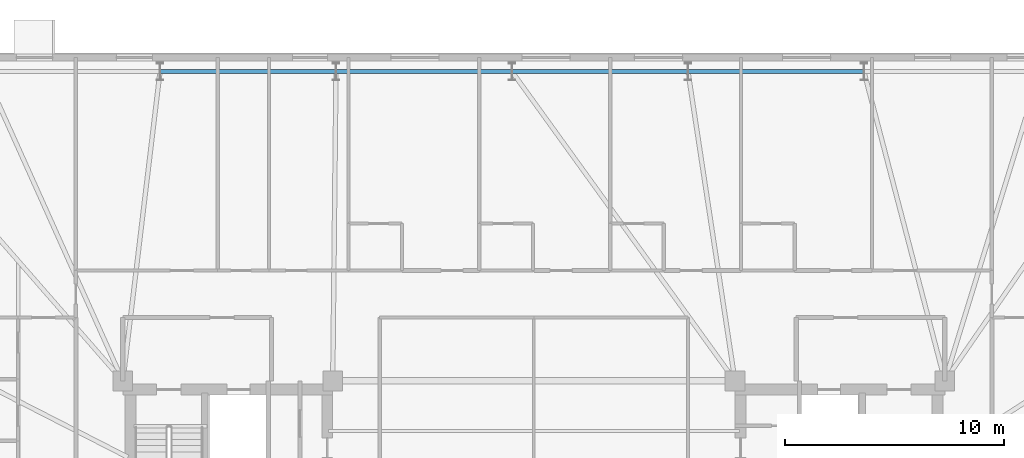
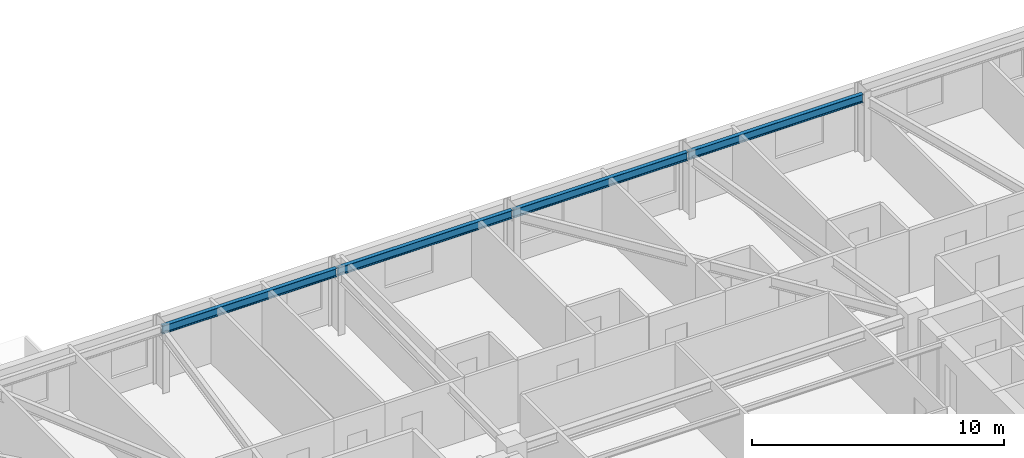
# One storey, part 8 of 18: 4 beams.
"""IFC4 building model written with IfcOpenShell, lengths in metres."""

from ifc_helpers import new_model, si_unit, direction, frame, origin, origin_2d, place, context, subcontext, project, spatial, i_section, extrude, material, material_profile, profile_set, type_object, element, save


model = new_model("IFC4")

# Units and contexts
model_context = context("Model", 3, precision=1e-05, world=origin(), true_north=direction((0.0, 1.0)))
body_context = subcontext(model_context, "Body", "Model", "MODEL_VIEW")
ifc_project = project(units=[si_unit("LENGTHUNIT", "METRE"), si_unit("AREAUNIT", "SQUARE_METRE"), si_unit("VOLUMEUNIT", "CUBIC_METRE"), si_unit("PLANEANGLEUNIT", "RADIAN"), si_unit("MASSUNIT", "GRAM", prefix="KILO")], contexts=[model_context])

# Site, building, storey
site_placement = place(None, origin())
site = spatial("IfcSite", under=ifc_project, at=site_placement, CompositionType="ELEMENT")
building_placement = place(site_placement, origin())
building = spatial("IfcBuilding", under=site, at=building_placement, Name="Qobustan Lattice House", CompositionType="ELEMENT")
storey_placement = place(building_placement, frame((0.0, 0.0, 134.35009765625)))
storey = spatial("IfcBuildingStorey", under=building, at=storey_placement, Name="L37", CompositionType="ELEMENT", Elevation=134.35009765625)

# Beams
ifc_material = material(Name="Steel S355", Category="steel")
ifc_material_profile = material_profile(ifc_material, i_section(OverallWidth=0.179931640625, OverallDepth=0.39990234375, WebThickness=0.008544921875, FlangeThickness=0.013427734375, FilletRadius=0.02099609375, at=origin_2d()), Name="IPE400")
ifc_profile_set = profile_set([ifc_material_profile], Name="Steel S355")
beam_type = type_object("IfcBeamType", Name="BM-SPD-IPE400", PredefinedType="SPANDREL", material=ifc_profile_set)
for number, where, z_axis, x_axis, name in (
    (1, (15.074951171875, 19.75, 2.83984375), (-1.0, 0.0, 0.0), (0.0, -1.0, 0.0), "L37 perimeter spandrel N2-N3"),
    (2, (7.02490234375, 19.75, 2.83984375), (-1.0, 0.0, 0.0), (0.0, -1.0, 0.0), "L37 perimeter spandrel N3-N4"),
    (3, (-1.02490234375, 19.75, 2.83984375), (-1.0, 0.0, 0.0), (0.0, -1.0, 0.0), "L37 perimeter spandrel N4-N5"),
    (4, (-9.074951171875, 19.75, 2.83984375), (-1.0, 0.0, 0.0), (0.0, -1.0, 0.0), "L37 perimeter spandrel N5-N6"),
):
    element("IfcBeam", number, at=place(storey_placement, frame(where, z_axis=z_axis, x_axis=x_axis)), inside=storey, type_object=beam_type, Name=name, PredefinedType="SPANDREL", context=body_context, shape_type="SweptSolid", body=[
        extrude(i_section(OverallWidth=0.179931640625, OverallDepth=0.39990234375, WebThickness=0.008544921875, FlangeThickness=0.013427734375, FilletRadius=0.02099609375, at=origin_2d()), origin(), (0.0, 0.0, 1.0), 8.0),
    ])

save(model, "model.ifc")
